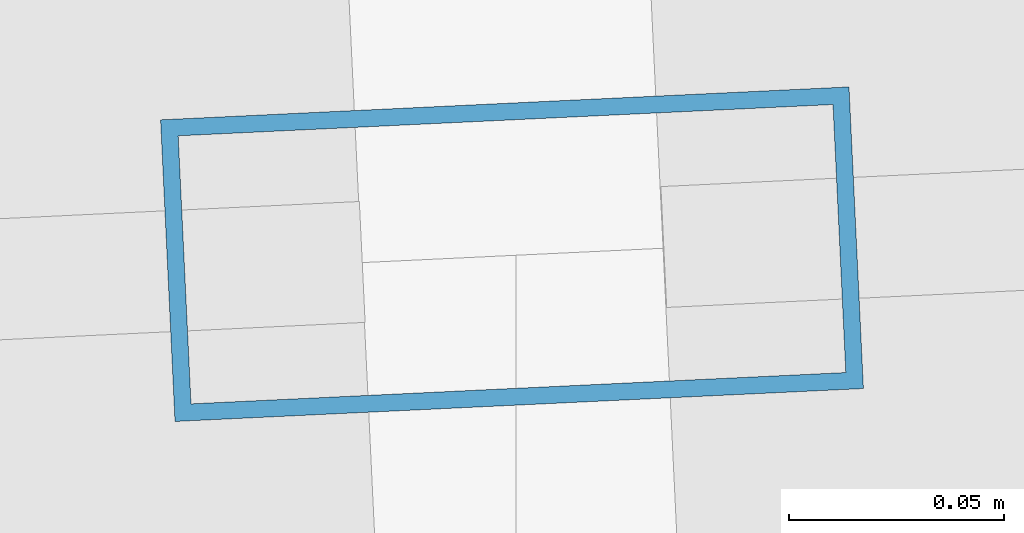
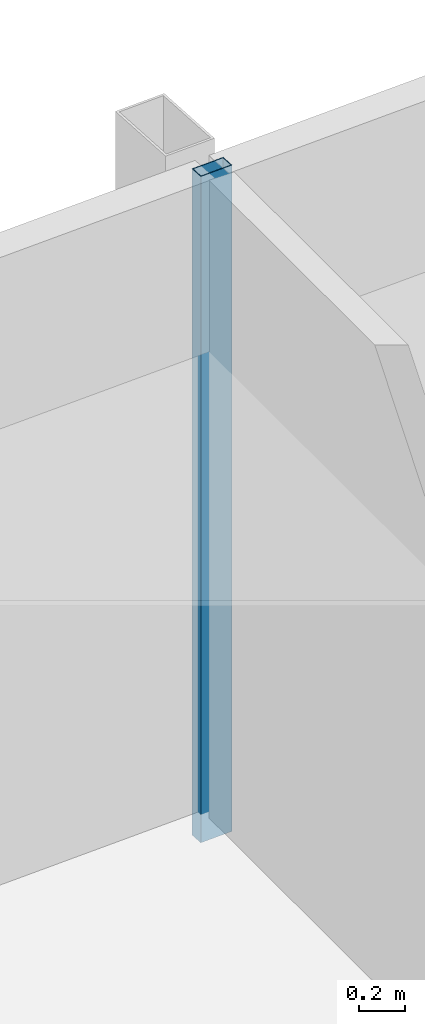
# One storey, part 20 of 39: 1 member, 1 element without a shape of its own.
"""IFC4 building model written with IfcOpenShell, lengths in metres."""

import ifcopenshell
import ifcopenshell.guid

model = None  # the IFC model being written
_history = None  # IfcOwnerHistory: only IFC2X3 demands one
_inside = {}  # id of a spatial element -> (the spatial element, [elements in it])
_under = {}  # id of a project, library or spatial element -> (it, [spatial elements below it])
_declared = {}  # id of a project -> (the project, [libraries it declares])
_typed = {}  # id of a type object -> (the type object, [elements of that type])
_made_of = {}  # id of a material, layer set ... -> (it, [elements and type objects made of it])


def new_model(schema):
    """Start an empty IFC model of exactly this schema.

    Asked for "IFC4X3", IfcOpenShell would pick the latest addendum, in which some entities
    have other attributes; the version numbers below select the first issue.
    IFC2X3 requires an IfcOwnerHistory on every rooted entity: one is made here for all.
    """
    global model, _history
    if schema == "IFC4X3":
        model = ifcopenshell.file(schema_version=(4, 3, 0, 0))
    else:
        model = ifcopenshell.file(schema=schema)
    _inside.clear()
    _under.clear()
    _declared.clear()
    _typed.clear()
    _made_of.clear()
    _history = None
    if model.schema == "IFC2X3":
        org = make("IfcOrganization", Name="unknown")
        user = make(
            "IfcPersonAndOrganization",
            ThePerson=make("IfcPerson", FamilyName="unknown"),
            TheOrganization=org,
        )
        app = make(
            "IfcApplication",
            ApplicationDeveloper=org,
            Version="unknown",
            ApplicationFullName="unknown",
            ApplicationIdentifier="unknown",
        )
        _history = make(
            "IfcOwnerHistory",
            OwningUser=user,
            OwningApplication=app,
            ChangeAction="ADDED",
            CreationDate=0,
        )
    return model


def make(cls, **values):
    """One entity of the class cls with the attributes given. An attribute that is None is left unset."""
    return model.create_entity(
        cls, **{name: value for name, value in values.items() if value is not None}
    )


def rooted(cls, **values):
    """An entity with a GlobalId (a new one), such as an element, a storey or a relation."""
    return make(cls, GlobalId=ifcopenshell.guid.new(), OwnerHistory=_history, **values)


def si_unit(unit_type, name, prefix=None):
    """IfcSIUnit, for example si_unit("LENGTHUNIT", "METRE", prefix="MILLI")."""
    return make("IfcSIUnit", UnitType=unit_type, Prefix=prefix, Name=name)


def assignment(units):
    """IfcUnitAssignment: the units of a project."""
    return None if units is None else make("IfcUnitAssignment", Units=units)


def point(xyz):
    """IfcCartesianPoint."""
    return None if xyz is None else make("IfcCartesianPoint", Coordinates=xyz)


def direction(xyz):
    """IfcDirection."""
    return None if xyz is None else make("IfcDirection", DirectionRatios=xyz)


def frame(location, z_axis=None, x_axis=None):
    """IfcAxis2Placement3D, a coordinate frame: its origin and axes. An axis left out is left unset."""
    return make(
        "IfcAxis2Placement3D",
        Location=point(location),
        Axis=direction(z_axis),
        RefDirection=direction(x_axis),
    )


def frame_2d(location, x_axis=None):
    """IfcAxis2Placement2D, a coordinate frame in the plane: its origin and x axis."""
    return make(
        "IfcAxis2Placement2D", Location=point(location), RefDirection=direction(x_axis)
    )


def origin():
    """The frame at (0, 0, 0) with its axes left unset."""
    return frame((0.0, 0.0, 0.0))


def origin_2d():
    """The frame at (0, 0) in the plane with its x axis left unset."""
    return frame_2d((0.0, 0.0))


def place(relative_to, where):
    """IfcLocalPlacement: puts the frame where relative to a parent placement (None: the world)."""
    return make(
        "IfcLocalPlacement", PlacementRelTo=relative_to, RelativePlacement=where
    )


def context(
    kind, dimensions, precision=None, world=None, true_north=None, identifier=None
):
    """IfcGeometricRepresentationContext, for example the 3D "Model" context."""
    return make(
        "IfcGeometricRepresentationContext",
        ContextIdentifier=identifier,
        ContextType=kind,
        CoordinateSpaceDimension=dimensions,
        Precision=precision,
        WorldCoordinateSystem=world,
        TrueNorth=true_north,
    )


def subcontext(parent, identifier, kind, view, scale=None):
    """IfcGeometricRepresentationSubContext, for example "Body" below "Model"."""
    return make(
        "IfcGeometricRepresentationSubContext",
        ContextIdentifier=identifier,
        ContextType=kind,
        ParentContext=parent,
        TargetScale=scale,
        TargetView=view,
    )


def project(units=None, contexts=None):
    """IfcProject with its units and contexts."""
    return rooted(
        "IfcProject",
        Name="project",
        RepresentationContexts=contexts,
        UnitsInContext=assignment(units),
    )


def spatial(cls, under=None, at=None, **own):
    """A site, building, storey or space (cls), placed at a placement, below another one or the project."""
    s = rooted(cls, ObjectPlacement=at, **own)
    if under is not None:
        _under.setdefault(under.id(), (under, []))[1].append(s)
    return s


def profile(cls, at=None, kind="AREA", **sizes):
    """A parametric profile (cls). Its sizes go by their IFC names, for example OverallWidth=200.0."""
    return make(cls, ProfileType=kind, Position=at, **sizes)


def hollow_rectangle(**sizes):
    """IfcRectangleHollowProfileDef."""
    return profile("IfcRectangleHollowProfileDef", **sizes)


def extrude(swept, where, along, depth):
    """IfcExtrudedAreaSolid: the profile swept, set in the frame where, extruded along a direction by depth."""
    return make(
        "IfcExtrudedAreaSolid",
        SweptArea=swept,
        Position=where,
        ExtrudedDirection=direction(along),
        Depth=depth,
    )


def shape(context_of_items, identifier, shape_type, items):
    """IfcShapeRepresentation: the items that make up one representation, for example the "Body"."""
    return make(
        "IfcShapeRepresentation",
        ContextOfItems=context_of_items,
        RepresentationIdentifier=identifier,
        RepresentationType=shape_type,
        Items=items,
    )


def material(Name=None, Category=None):
    """IfcMaterial."""
    return make("IfcMaterial", Name=Name, Category=Category)


def material_profile(
    of_material, cross_section, Name=None, Category=None, Priority=None
):
    """IfcMaterialProfile: a cross section and its material."""
    return make(
        "IfcMaterialProfile",
        Name=Name,
        Material=of_material,
        Profile=cross_section,
        Priority=Priority,
        Category=Category,
    )


def profile_set(profiles, Name=None, composite=None):
    """IfcMaterialProfileSet."""
    return make(
        "IfcMaterialProfileSet",
        Name=Name,
        MaterialProfiles=profiles,
        CompositeProfile=composite,
    )


def made_of(thing, what):
    """Note that an element or type object is made of a material, layer set ...; save() writes the relation."""
    if what is not None:
        _made_of.setdefault(what.id(), (what, []))[1].append(thing)
    return thing


def type_object(cls, material=None, **own):
    """A type object (cls), such as IfcWallType, which elements share."""
    return made_of(rooted(cls, **own), material)


def element(
    cls,
    number,
    at=None,
    inside=None,
    cuts=None,
    type_object=None,
    material=None,
    context=None,
    identifier="Body",
    shape_type=None,
    held_by="IfcProductDefinitionShape",
    body=None,
    shapes=None,
    **own,
):
    """One element of the class cls, such as IfcWall. Its Tag is "e" and its number.

    at: its placement. inside: the storey or other place that contains it. cuts: it is an
    opening in that element (IfcRelVoidsElement). A single representation is given by context,
    identifier, shape_type and body (its items); several are given by shapes. held_by: the class
    of the entity that holds the representations. save() writes the other relations.
    """
    e = rooted(cls, Tag="e%d" % number, ObjectPlacement=at, **own)
    if body is not None:
        shapes = [shape(context, identifier, shape_type, body)]
    if shapes is not None:
        e.Representation = make(held_by, Representations=shapes)
    if inside is not None:
        _inside.setdefault(inside.id(), (inside, []))[1].append(e)
    if cuts is not None:
        rooted(
            "IfcRelVoidsElement", RelatingBuildingElement=cuts, RelatedOpeningElement=e
        )
    if type_object is not None:
        _typed.setdefault(type_object.id(), (type_object, []))[1].append(e)
    return made_of(e, material)


def aggregate(whole, parts):
    """IfcRelAggregates: a whole, such as a stair, and the parts it consists of."""
    return rooted("IfcRelAggregates", RelatingObject=whole, RelatedObjects=parts)


def save(model, path):
    """Write the relations noted so far, then the file.

    IfcRelAggregates (storeys below a building ...), IfcRelContainedInSpatialStructure (elements
    in a storey), IfcRelDefinesByType, IfcRelAssociatesMaterial and IfcRelDeclares: one each for
    every whole, place, type object, material and project.
    """
    for whole, parts in _under.values():
        aggregate(whole, parts)
    for where, things in _inside.values():
        rooted(
            "IfcRelContainedInSpatialStructure",
            RelatedElements=things,
            RelatingStructure=where,
        )
    for kind, things in _typed.values():
        rooted("IfcRelDefinesByType", RelatedObjects=things, RelatingType=kind)
    for what, things in _made_of.values():
        rooted("IfcRelAssociatesMaterial", RelatedObjects=things, RelatingMaterial=what)
    for by, libraries in _declared.values():
        rooted("IfcRelDeclares", RelatingContext=by, RelatedDefinitions=libraries)
    model.write(path)


model = new_model("IFC4")

# Units and contexts
model_context = context("Model", 3, precision=1e-05, world=origin(), true_north=direction((0.0, 1.0)))
body_context = subcontext(model_context, "Body", "Model", "MODEL_VIEW")
ifc_project = project(units=[si_unit("LENGTHUNIT", "METRE"), si_unit("AREAUNIT", "SQUARE_METRE"), si_unit("VOLUMEUNIT", "CUBIC_METRE"), si_unit("PLANEANGLEUNIT", "RADIAN"), si_unit("MASSUNIT", "GRAM", prefix="KILO")], contexts=[model_context])

# Site, building, storey
site_placement = place(None, origin())
site = spatial("IfcSite", under=ifc_project, at=site_placement, CompositionType="ELEMENT")
building_placement = place(site_placement, origin())
building = spatial("IfcBuilding", under=site, at=building_placement, Name="Rekha Terrace Tower", CompositionType="ELEMENT")
storey_placement = place(building_placement, frame((0.0, 0.0, 221.449951171875)))
storey = spatial("IfcBuildingStorey", under=building, at=storey_placement, Name="L56", CompositionType="ELEMENT", Elevation=221.449951171875)

# Curtain wall, member
ifc_material_1 = material(Name="Aluminium framing", Category="aluminium")
curtain_wall_type = type_object("IfcCurtainWallType", Name="CW3 north unitised glazing", PredefinedType="USERDEFINED", material=ifc_material_1)
curtain_wall_placement = place(storey_placement, origin())
curtain_wall = element("IfcCurtainWall", 1, at=curtain_wall_placement, inside=storey, type_object=curtain_wall_type, Name="CW3 unitised curtain wall", ObjectType="UNITISED CURTAIN WALL", PredefinedType="USERDEFINED")
ifc_material_2 = material(Name="Aluminium mullion section", Category="aluminium")
ifc_material_profile = material_profile(ifc_material_2, hollow_rectangle(XDim=0.070068359375, YDim=0.159912109375, WallThickness=0.00390625, at=origin_2d()), Name="AL RHS 70x160")
ifc_profile_set = profile_set([ifc_material_profile], Name="Aluminium mullion section")
member_type = type_object("IfcMemberType", Name="CW3 mullion RHS 70 x 160", PredefinedType="MULLION", material=ifc_profile_set)
member_placement = place(storey_placement, frame((38.570068359375, 61.771240234375, 0.0), z_axis=(0.0, 0.0, 1.0), x_axis=(0.047758616983, -0.998858906204, 0.0)))
member = element("IfcMember", 2, at=member_placement, type_object=member_type, Name="CW3 mullion 2", PredefinedType="MULLION", context=body_context, shape_type="SweptSolid", body=[
    extrude(hollow_rectangle(XDim=0.070068359375, YDim=0.159912109375, WallThickness=0.00390625, at=origin_2d()), origin(), (0.0, 0.0, 1.0), 3.5),
])
aggregate(curtain_wall, [member])

save(model, "model.ifc")
